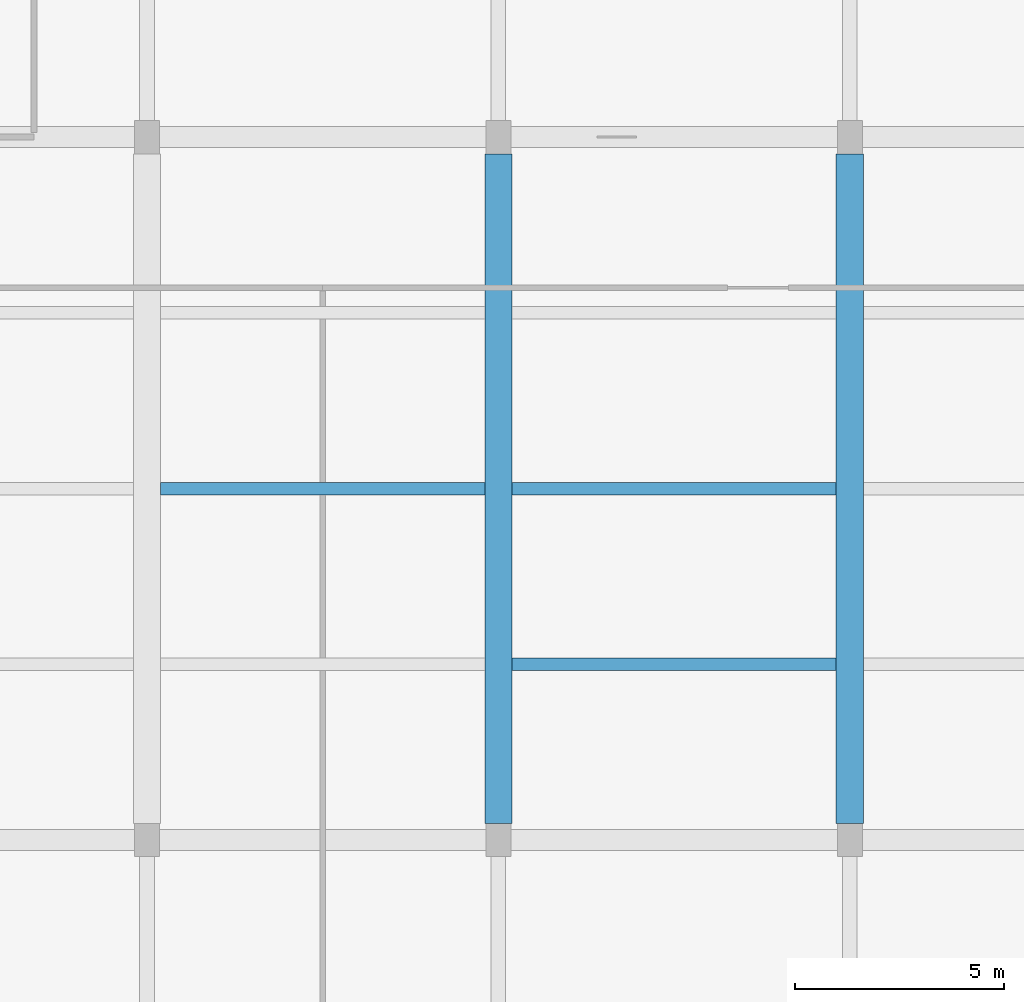
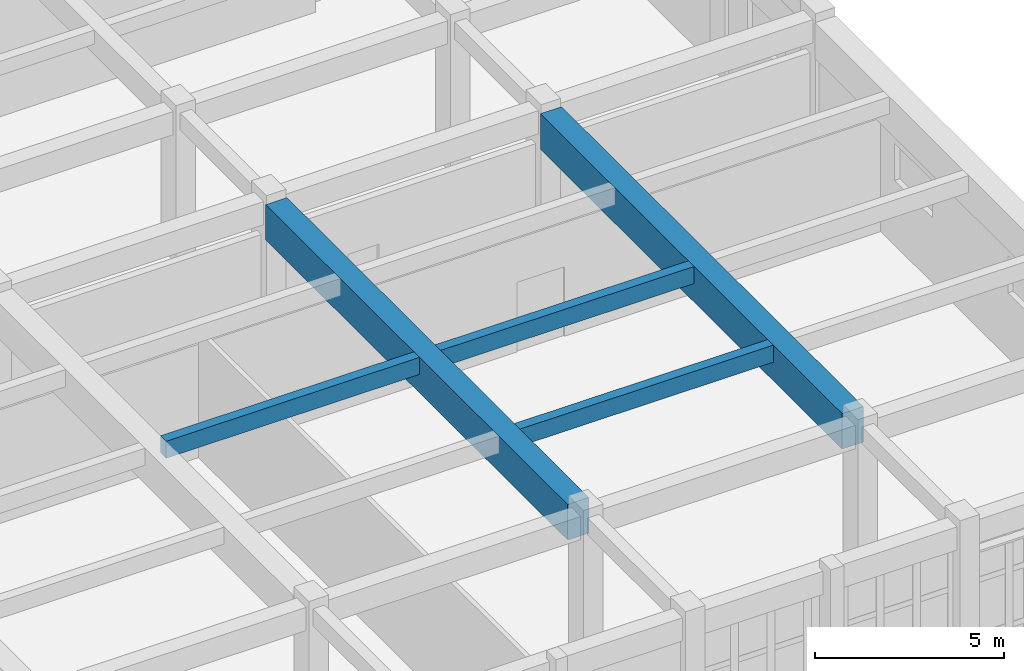
# One storey, part 55 of 106: 5 beams.
"""IFC4 building model written with IfcOpenShell, lengths in metres."""

from ifc_helpers import new_model, si_unit, direction, frame, origin, origin_2d, place, context, subcontext, project, spatial, rectangle, extrude, material, material_profile, profile_set, type_object, element, save


model = new_model("IFC4")

# Units and contexts
model_context = context("Model", 3, precision=1e-05, world=origin(), true_north=direction((0.0, 1.0)))
body_context = subcontext(model_context, "Body", "Model", "MODEL_VIEW")
ifc_project = project(units=[si_unit("LENGTHUNIT", "METRE"), si_unit("AREAUNIT", "SQUARE_METRE"), si_unit("VOLUMEUNIT", "CUBIC_METRE"), si_unit("PLANEANGLEUNIT", "RADIAN"), si_unit("MASSUNIT", "GRAM", prefix="KILO")], contexts=[model_context])

# Site, building, storey
site_placement = place(None, origin())
site = spatial("IfcSite", under=ifc_project, at=site_placement, CompositionType="ELEMENT")
building_placement = place(site_placement, origin())
building = spatial("IfcBuilding", under=site, at=building_placement, Name="Krzemoval Escarpment Law Courts", CompositionType="ELEMENT")
storey_placement = place(building_placement, frame((0.0, 0.0, 5.10009765625)))
storey = spatial("IfcBuildingStorey", under=building, at=storey_placement, Name="L01", CompositionType="ELEMENT", Elevation=5.10009765625)

# Beams
ifc_material_1 = material(Name="Concrete C50/60", Category="concrete")
ifc_material_profile_1 = material_profile(ifc_material_1, rectangle(XDim=0.64990234375, YDim=1.14990234375, at=origin_2d()), Name="PTG 650x1150")
ifc_profile_set_1 = profile_set([ifc_material_profile_1], Name="Concrete C50/60")
beam_type_1 = type_object("IfcBeamType", Name="BM-PTG-650x1150", PredefinedType="BEAM", material=ifc_profile_set_1)
for number, where, z_axis, x_axis, name in (
    (1, (134.39990234375, 5.800048828125, 4.244873046875), (0.0, 1.0, 0.0), (-1.0, 0.0, 0.0), "Beam FG-L01-1521"),
    (2, (142.800048828125, 5.800048828125, 4.244873046875), (0.0, 1.0, 0.0), (-1.0, 0.0, 0.0), "Beam FG-L01-1537"),
):
    element("IfcBeam", number, at=place(storey_placement, frame(where, z_axis=z_axis, x_axis=x_axis)), inside=storey, type_object=beam_type_1, Name=name, PredefinedType="BEAM", context=body_context, shape_type="SweptSolid", body=[
        extrude(rectangle(XDim=0.64990234375, YDim=1.14990234375, at=origin_2d()), origin(), (0.0, 0.0, 1.0), 16.0),
    ])
ifc_material_2 = material(Name="Concrete C40/50", Category="concrete")
ifc_material_profile_2 = material_profile(ifc_material_2, rectangle(XDim=0.300048828125, YDim=0.550048828125, at=origin_2d()), Name="RCB 300x550")
ifc_profile_set_2 = profile_set([ifc_material_profile_2], Name="Concrete C40/50")
beam_type_2 = type_object("IfcBeamType", Name="JST-RC-300x550", PredefinedType="JOIST", material=ifc_profile_set_2)
for number, where, z_axis, x_axis, name in (
    (3, (126.324951171875, 13.800048828125, 4.544921875), (1.0, 0.0, 0.0), (0.0, 1.0, 0.0), "Secondary Joist FJ-L01-1682"),
    (4, (134.72509765625, 9.60009765625, 4.544921875), (1.0, 0.0, 0.0), (0.0, 1.0, 0.0), "Secondary Joist FJ-L01-1686"),
    (5, (134.72509765625, 13.800048828125, 4.544921875), (1.0, 0.0, 0.0), (0.0, 1.0, 0.0), "Secondary Joist FJ-L01-1687"),
):
    element("IfcBeam", number, at=place(storey_placement, frame(where, z_axis=z_axis, x_axis=x_axis)), inside=storey, type_object=beam_type_2, Name=name, PredefinedType="JOIST", context=body_context, shape_type="SweptSolid", body=[
        extrude(rectangle(XDim=0.300048828125, YDim=0.550048828125, at=origin_2d()), origin(), (0.0, 0.0, 1.0), 7.75),
    ])

save(model, "model.ifc")
